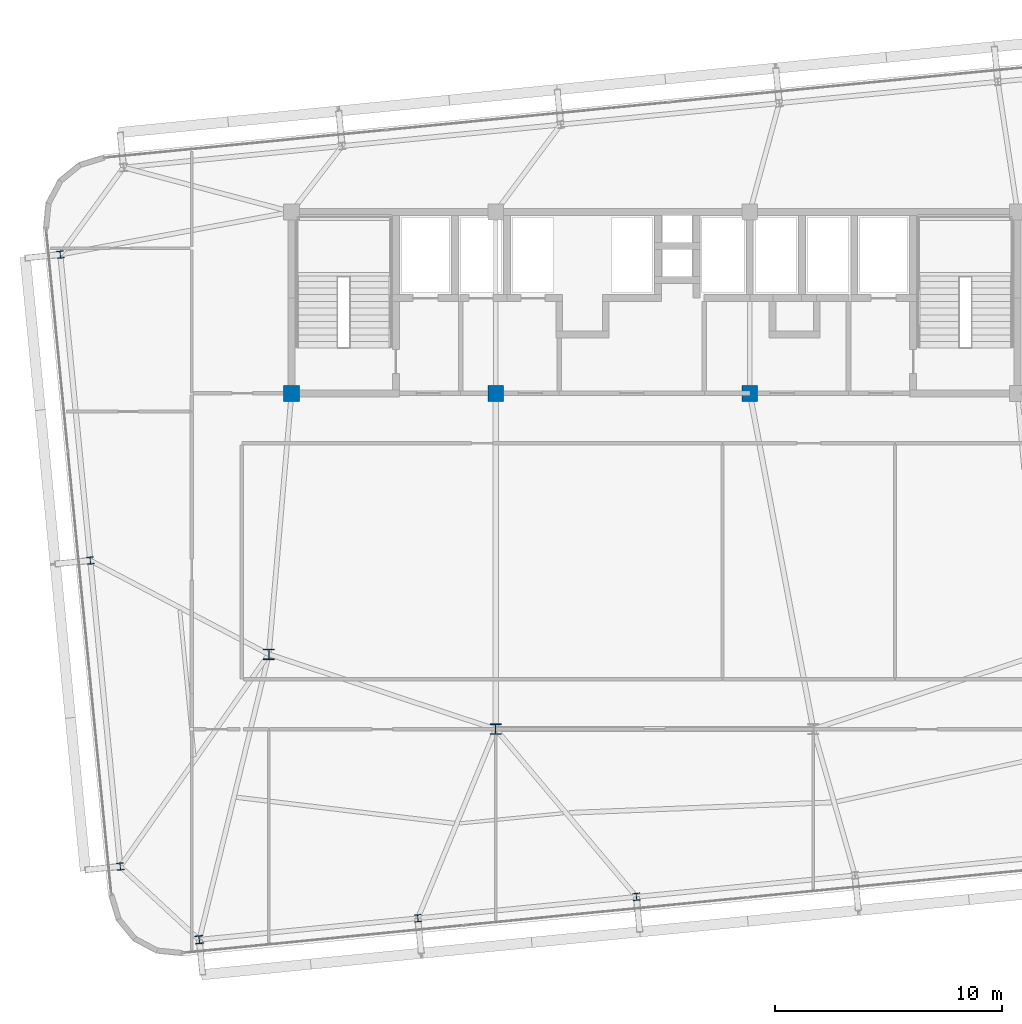
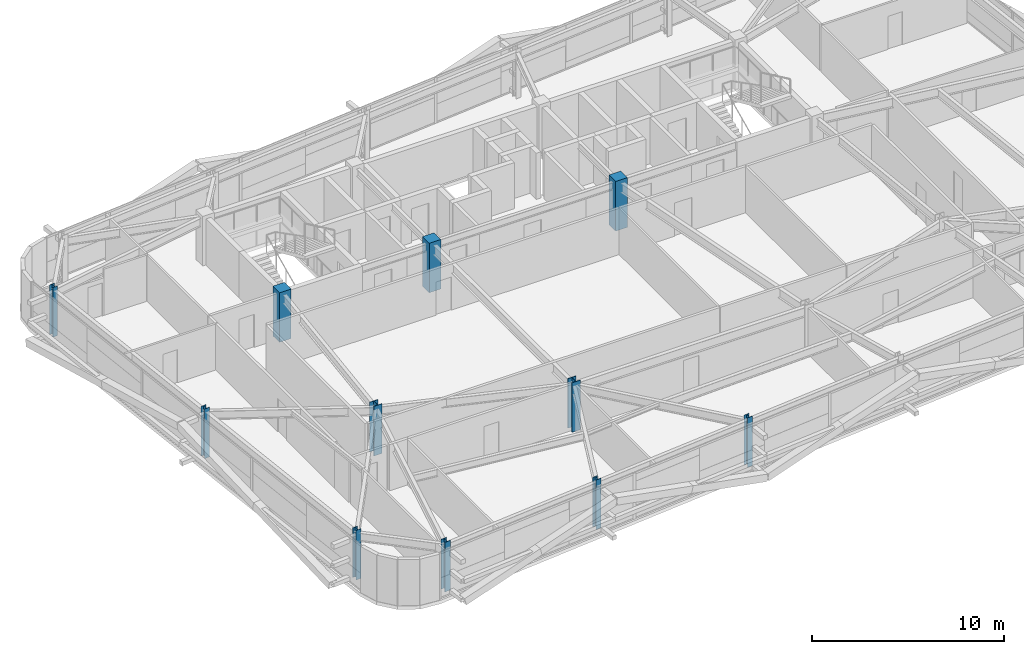
# One storey, part 1 of 47: 11 columns.
"""IFC4 building model written with IfcOpenShell, lengths in metres."""

from ifc_helpers import new_model, si_unit, direction, frame, origin, origin_2d, place, context, subcontext, project, spatial, rectangle, i_section, extrude, source, transform, mapped, material, material_profile, profile_set, type_object, element, save


model = new_model("IFC4")

# Units and contexts
model_context = context("Model", 3, precision=1e-05, world=origin(), true_north=direction((0.0, 1.0)))
body_context = subcontext(model_context, "Body", "Model", "MODEL_VIEW")
ifc_project = project(units=[si_unit("LENGTHUNIT", "METRE"), si_unit("AREAUNIT", "SQUARE_METRE"), si_unit("VOLUMEUNIT", "CUBIC_METRE"), si_unit("PLANEANGLEUNIT", "RADIAN"), si_unit("MASSUNIT", "GRAM", prefix="KILO")], contexts=[model_context])

# Site, building, storey
site_placement = place(None, origin())
site = spatial("IfcSite", under=ifc_project, at=site_placement, CompositionType="ELEMENT")
building_placement = place(site_placement, origin())
building = spatial("IfcBuilding", under=site, at=building_placement, Name="Taldren Reach Tower", CompositionType="ELEMENT")
storey_placement = place(building_placement, frame((0.0, 0.0, 106.050048828125)))
storey = spatial("IfcBuildingStorey", under=building, at=storey_placement, Name="L32", CompositionType="ELEMENT", Elevation=106.050048828125)

# Columns
ifc_material_1 = material(Name="Steel Gr 350 (350PLUS)", Category="steel")
ifc_material_profile_1 = material_profile(ifc_material_1, i_section(OverallWidth=0.5, OverallDepth=0.464111328125, WebThickness=0.02197265625, FlangeThickness=0.033935546875, at=origin_2d()), Name="500WC340")
ifc_profile_set_1 = profile_set([ifc_material_profile_1], Name="Steel Gr 350 (350PLUS)")
column_type_1 = type_object("IfcColumnType", Name="COL-WC500B", PredefinedType="COLUMN", material=ifc_profile_set_1)
shared_shape_1 = source(origin(), body_context, "Body", "SweptSolid", [
    extrude(i_section(OverallWidth=0.5, OverallDepth=0.464111328125, WebThickness=0.02197265625, FlangeThickness=0.033935546875, at=origin_2d()), origin(), (0.0, 0.0, 1.0), 3.14990234375),
])
for number, where, z_axis, x_axis, name in (
    (1, (28.0, 9.199951171875, 0.0), (0.0, 0.0, 1.0), (1.0, 0.0, 0.0), "Mega column MC-PJW L32"),
    (2, (18.0, 12.5, 0.0), (0.0, 0.0, 1.0), (1.0, 0.0, 0.0), "Mega column MC-SW L32"),
):
    element("IfcColumn", number, at=place(storey_placement, frame(where, z_axis=z_axis, x_axis=x_axis)), inside=storey, type_object=column_type_1, Name=name, PredefinedType="COLUMN", context=body_context, shape_type="MappedRepresentation", body=[
        mapped(shared_shape_1, transform((0.0, 0.0, 0.0), scale=1.0)),
    ])
ifc_material_2 = material(Name="Concrete S65 (65 MPa)", Category="concrete")
ifc_material_profile_2 = material_profile(ifc_material_2, rectangle(XDim=0.699951171875, YDim=0.699951171875, at=origin_2d()), Name="RC-700x700")
ifc_profile_set_2 = profile_set([ifc_material_profile_2], Name="Concrete S65 (65 MPa)")
column_type_2 = type_object("IfcColumnType", Name="COL-RC700", PredefinedType="COLUMN", material=ifc_profile_set_2)
shared_shape_2 = source(origin(), body_context, "Body", "SweptSolid", [
    extrude(rectangle(XDim=0.699951171875, YDim=0.699951171875, at=origin_2d()), origin(), (0.0, 0.0, 1.0), 3.14990234375),
])
for number, where, z_axis, x_axis, name in (
    (3, (19.0, 24.0, 0.0), (0.0, 0.0, 1.0), (1.0, 0.0, 0.0), "Mega column MC-C1 L32"),
    (4, (28.0, 24.0, 0.0), (0.0, 0.0, 1.0), (1.0, 0.0, 0.0), "Mega column MC-C2 L32"),
    (5, (39.199951171875, 24.0, 0.0), (0.0, 0.0, 1.0), (1.0, 0.0, 0.0), "Mega column MC-C3 L32"),
):
    element("IfcColumn", number, at=place(storey_placement, frame(where, z_axis=z_axis, x_axis=x_axis)), inside=storey, type_object=column_type_2, Name=name, PredefinedType="COLUMN", context=body_context, shape_type="MappedRepresentation", body=[
        mapped(shared_shape_2, transform((0.0, 0.0, 0.0), scale=1.0)),
    ])
ifc_material_profile_3 = material_profile(ifc_material_1, i_section(OverallWidth=0.35009765625, OverallDepth=0.35595703125, WebThickness=0.01806640625, FlangeThickness=0.028076171875, at=origin_2d()), Name="350WC197")
ifc_profile_set_3 = profile_set([ifc_material_profile_3], Name="Steel Gr 350 (350PLUS)")
column_type_3 = type_object("IfcColumnType", Name="COL-WC350", PredefinedType="COLUMN", material=ifc_profile_set_3)
shared_shape_3 = source(origin(), body_context, "Body", "SweptSolid", [
    extrude(i_section(OverallWidth=0.35009765625, OverallDepth=0.35595703125, WebThickness=0.01806640625, FlangeThickness=0.028076171875, at=origin_2d()), origin(), (0.0, 0.0, 1.0), 3.14990234375),
])
column_placement = place(storey_placement, frame((14.93408203125, -0.079833984375, 0.0), z_axis=(0.0, 0.0, 1.0), x_axis=(0.995227399982, 0.097582899759, 0.0)))
element("IfcColumn", 6, at=column_placement, inside=storey, type_object=column_type_3, Name="Block B2 perimeter column S1 L32", PredefinedType="COLUMN", context=body_context, shape_type="MappedRepresentation", body=[
    mapped(shared_shape_3, transform((0.0, 0.0, 0.0), scale=1.0)),
])
ifc_material_profile_4 = material_profile(ifc_material_1, i_section(OverallWidth=0.306884765625, OverallDepth=0.31494140625, WebThickness=0.011962890625, FlangeThickness=0.018798828125, at=origin_2d()), Name="310UC118")
ifc_profile_set_4 = profile_set([ifc_material_profile_4], Name="Steel Gr 350 (350PLUS)")
column_type_4 = type_object("IfcColumnType", Name="COL-UC310B", PredefinedType="COLUMN", material=ifc_profile_set_4)
shared_shape_4 = source(origin(), body_context, "Body", "SweptSolid", [
    extrude(i_section(OverallWidth=0.306884765625, OverallDepth=0.31494140625, WebThickness=0.011962890625, FlangeThickness=0.018798828125, at=origin_2d()), origin(), (0.0, 0.0, 1.0), 3.14990234375),
])
for number, where, z_axis, x_axis, name in (
    (7, (24.56787109375, 0.86474609375, 0.0), (0.0, 0.0, 1.0), (0.995227399982, 0.097582899759, 0.0), "Block B2 perimeter column S2 L32"),
    (8, (34.20166015625, 1.809326171875, 0.0), (0.0, 0.0, 1.0), (0.995227399982, 0.097582899759, 0.0), "Block B2 perimeter column S3 L32"),
    (9, (11.452880859375, 3.145751953125, 0.0), (0.0, 0.0, 1.0), (0.995227399982, 0.097582899759, 0.0), "Block B2 perimeter column W1 L32"),
    (10, (10.130615234375, 16.631103515625, 0.0), (0.0, 0.0, 1.0), (0.995227399982, 0.097582899759, 0.0), "Block B2 perimeter column W2 L32"),
    (11, (8.808349609375, 30.116455078125, 0.0), (0.0, 0.0, 1.0), (0.995227399982, 0.097582899759, 0.0), "Block B2 perimeter column W3 L32"),
):
    element("IfcColumn", number, at=place(storey_placement, frame(where, z_axis=z_axis, x_axis=x_axis)), inside=storey, type_object=column_type_4, Name=name, PredefinedType="COLUMN", context=body_context, shape_type="MappedRepresentation", body=[
        mapped(shared_shape_4, transform((0.0, 0.0, 0.0), scale=1.0)),
    ])

save(model, "model.ifc")
